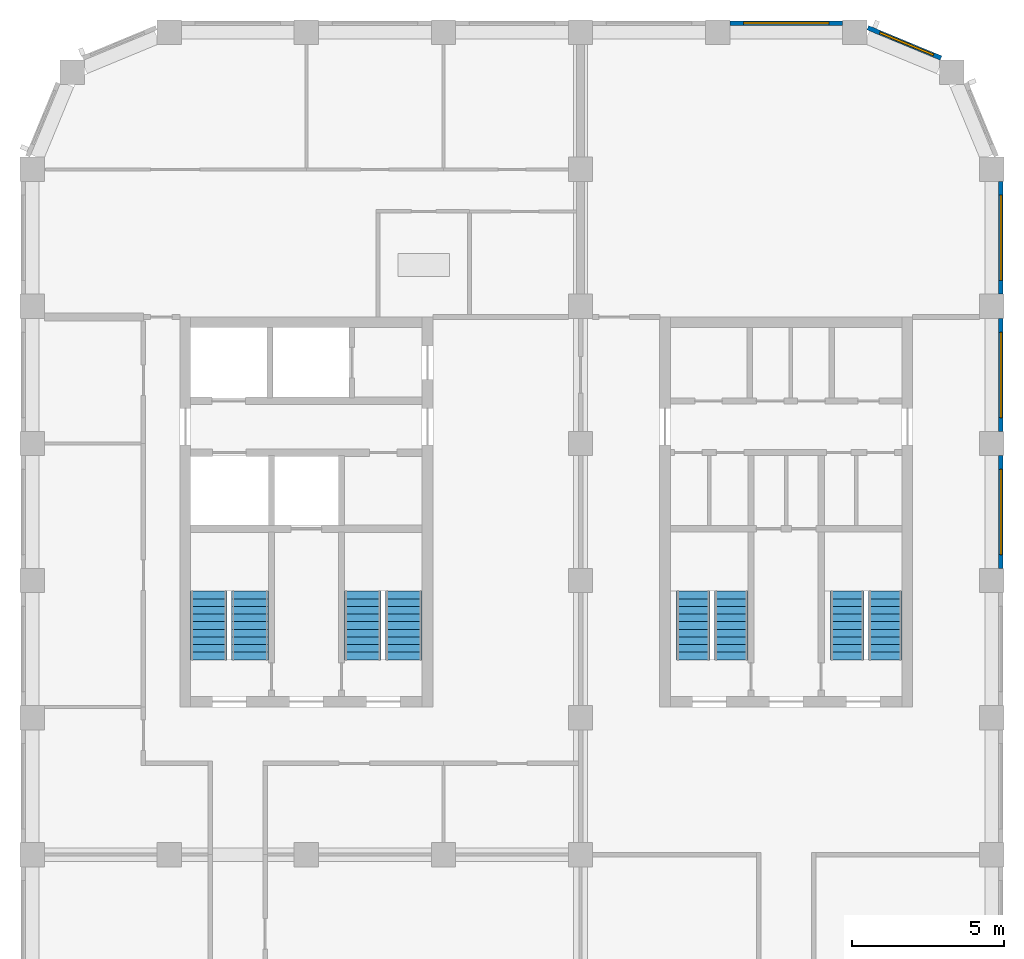
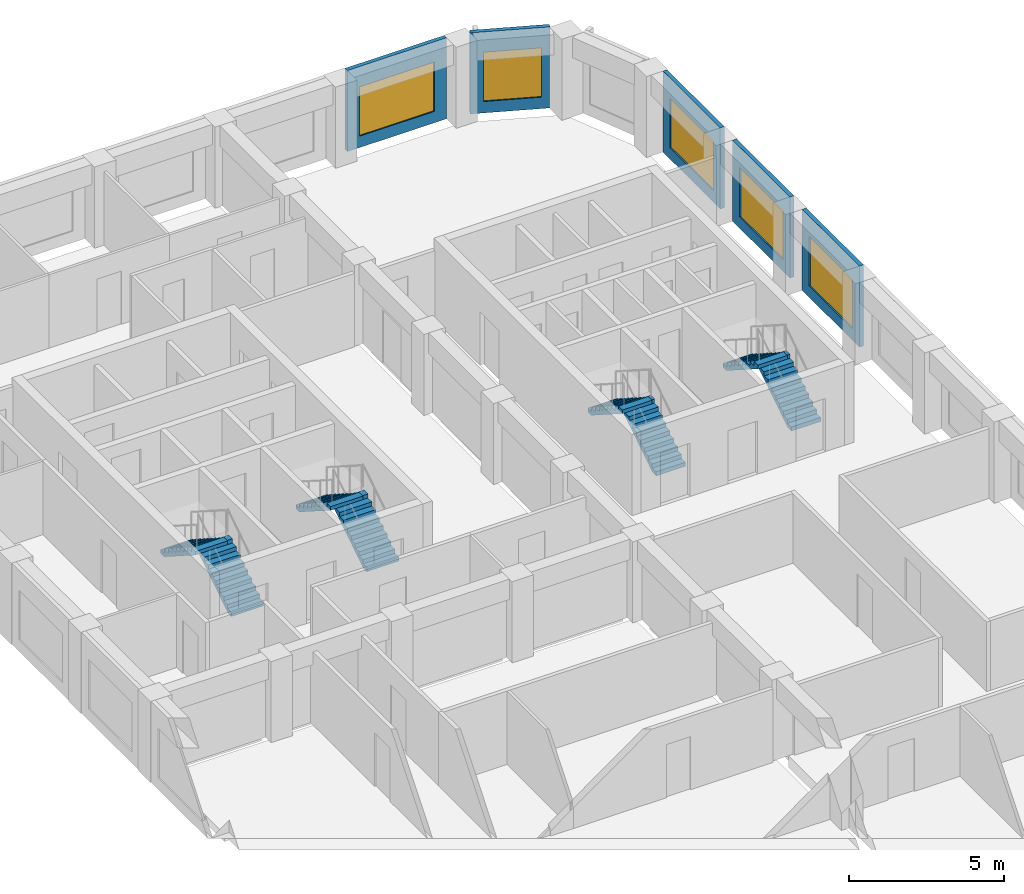
# One storey, part 7 of 9: 8 stair flights, 5 walls, 5 windows, 5 openings, 4 elements without a shape of their own.
"""IFC4 building model written with IfcOpenShell, lengths in metres."""

from ifc_helpers import new_model, si_unit, direction, frame, frame_2d, origin, place, context, subcontext, project, spatial, polyline, rectangle, outline, extrude, material, layer, layer_set, type_object, element, fill, aggregate, save


model = new_model("IFC4")

# Units and contexts
model_context = context("Model", 3, precision=1e-05, world=origin(), true_north=direction((0.0, 1.0)))
body_context = subcontext(model_context, "Body", "Model", "MODEL_VIEW")
ifc_project = project(units=[si_unit("LENGTHUNIT", "METRE"), si_unit("AREAUNIT", "SQUARE_METRE"), si_unit("VOLUMEUNIT", "CUBIC_METRE"), si_unit("PLANEANGLEUNIT", "RADIAN"), si_unit("MASSUNIT", "GRAM", prefix="KILO")], contexts=[model_context])

# Site, building, storey
site_placement = place(None, origin())
site = spatial("IfcSite", under=ifc_project, at=site_placement, CompositionType="ELEMENT")
building_placement = place(site_placement, origin())
building = spatial("IfcBuilding", under=site, at=building_placement, Name="Girih Gate Residences", CompositionType="ELEMENT")
storey_placement = place(building_placement, frame((0.0, 0.0, 189.10009765625)))
storey = spatial("IfcBuildingStorey", under=building, at=storey_placement, Name="L52", CompositionType="ELEMENT", Elevation=189.10009765625)

# Wall, opening, window
ifc_material_1 = material(Name="Precast concrete C50/60", Category="concrete")
ifc_layer_1 = layer(ifc_material_1, 0.050048828125, Name="Outer leaf")
ifc_material_2 = material(Name="Rigid PIR insulation")
ifc_layer_2 = layer(ifc_material_2, 0.06005859375, Name="Insulation")
ifc_material_3 = material(Name="Precast concrete C40/50", Category="concrete")
ifc_layer_3 = layer(ifc_material_3, 0.0400390625, Name="Inner leaf")
ifc_layer_set = layer_set([ifc_layer_1, ifc_layer_2, ifc_layer_3], Name="Precast concrete C50/60 external wall 150")
wall_type = type_object("IfcWallType", Name="Precast concrete C50/60 external wall 150", PredefinedType="SOLIDWALL", material=ifc_layer_set)
wall_1_placement = place(storey_placement, frame((31.800048828125, 35.60009765625, 0.0), z_axis=(0.0, 0.0, 1.0), x_axis=(0.0, -1.0, 0.0)))
wall_1 = element("IfcWall", 1, at=wall_1_placement, inside=storey, type_object=wall_type, Name="External wall E0315_0045.6", PredefinedType="SOLIDWALL", context=body_context, shape_type="SweptSolid", body=[
    extrude(rectangle(XDim=3.7001953125, YDim=0.14990234375, at=frame_2d((1.85009765625, 0.0))), origin(), (0.0, 0.0, 1.0), 3.199951171875),
])
opening_1_placement = place(wall_1_placement, frame((0.449951171875, 0.0, 0.449951171875)))
opening_1 = element("IfcOpeningElement", 2, at=opening_1_placement, cuts=wall_1, Name="Opening W-1B", PredefinedType="OPENING", context=body_context, shape_type="SweptSolid", body=[
    extrude(rectangle(XDim=2.800048828125, YDim=1.949951171875, at=frame_2d((1.39990234375, 0.97509765625))), frame((0.0, 0.0849609375, 0.0), z_axis=(0.0, -1.0, 0.0), x_axis=(1.0, 0.0, 0.0)), (0.0, 0.0, 1.0), 0.169921875),
])
ifc_material_4 = material(Name="Double glazing in aluminium frame", Category="aluminium")
window_type_1 = type_object("IfcWindowType", Name="Window W-1B 2800x1950", PartitioningType="SINGLE_PANEL", PredefinedType="WINDOW", material=ifc_material_4)
window_1_placement = place(opening_1_placement, origin())
window_1 = element("IfcWindow", 3, at=window_1_placement, inside=storey, type_object=window_type_1, Name="Window W-1B E0315_0045.6", OverallHeight=1.949951171875, OverallWidth=2.800048828125, PartitioningType="SINGLE_PANEL", PredefinedType="WINDOW", context=body_context, shape_type="SweptSolid", body=[
    extrude(rectangle(XDim=2.800048828125, YDim=1.949951171875, at=frame_2d((1.39990234375, 0.97509765625))), frame((0.0, 0.030029296875, 0.0), z_axis=(0.0, -1.0, 0.0), x_axis=(1.0, 0.0, 0.0)), (0.0, 0.0, 1.0), 0.06005859375),
])
fill(opening_1, window_1)

wall_2_placement = place(storey_placement, frame((31.800048828125, 40.10009765625, 0.0), z_axis=(0.0, 0.0, 1.0), x_axis=(0.0, -1.0, 0.0)))
wall_2 = element("IfcWall", 4, at=wall_2_placement, inside=storey, type_object=wall_type, Name="External wall E0315_0045.7", PredefinedType="SOLIDWALL", context=body_context, shape_type="SweptSolid", body=[
    extrude(rectangle(XDim=3.7001953125, YDim=0.14990234375, at=frame_2d((1.85009765625, 0.0))), origin(), (0.0, 0.0, 1.0), 3.199951171875),
])
opening_2_placement = place(wall_2_placement, frame((0.449951171875, 0.0, 0.449951171875)))
opening_2 = element("IfcOpeningElement", 5, at=opening_2_placement, cuts=wall_2, Name="Opening W-1B", PredefinedType="OPENING", context=body_context, shape_type="SweptSolid", body=[
    extrude(rectangle(XDim=2.800048828125, YDim=1.949951171875, at=frame_2d((1.39990234375, 0.97509765625))), frame((0.0, 0.0849609375, 0.0), z_axis=(0.0, -1.0, 0.0), x_axis=(1.0, 0.0, 0.0)), (0.0, 0.0, 1.0), 0.169921875),
])
window_2_placement = place(opening_2_placement, origin())
window_2 = element("IfcWindow", 6, at=window_2_placement, inside=storey, type_object=window_type_1, Name="Window W-1B E0315_0045.7", OverallHeight=1.949951171875, OverallWidth=2.800048828125, PartitioningType="SINGLE_PANEL", PredefinedType="WINDOW", context=body_context, shape_type="SweptSolid", body=[
    extrude(rectangle(XDim=2.800048828125, YDim=1.949951171875, at=frame_2d((1.39990234375, 0.97509765625))), frame((0.0, 0.030029296875, 0.0), z_axis=(0.0, -1.0, 0.0), x_axis=(1.0, 0.0, 0.0)), (0.0, 0.0, 1.0), 0.06005859375),
])
fill(opening_2, window_2)

wall_3_placement = place(storey_placement, frame((31.800048828125, 44.60009765625, 0.0), z_axis=(0.0, 0.0, 1.0), x_axis=(0.0, -1.0, 0.0)))
wall_3 = element("IfcWall", 7, at=wall_3_placement, inside=storey, type_object=wall_type, Name="External wall E0315_0045.8", PredefinedType="SOLIDWALL", context=body_context, shape_type="SweptSolid", body=[
    extrude(rectangle(XDim=3.7001953125, YDim=0.14990234375, at=frame_2d((1.85009765625, 0.0))), origin(), (0.0, 0.0, 1.0), 3.199951171875),
])
opening_3_placement = place(wall_3_placement, frame((0.449951171875, 0.0, 0.449951171875)))
opening_3 = element("IfcOpeningElement", 8, at=opening_3_placement, cuts=wall_3, Name="Opening W-1B", PredefinedType="OPENING", context=body_context, shape_type="SweptSolid", body=[
    extrude(rectangle(XDim=2.800048828125, YDim=1.949951171875, at=frame_2d((1.39990234375, 0.97509765625))), frame((0.0, 0.0849609375, 0.0), z_axis=(0.0, -1.0, 0.0), x_axis=(1.0, 0.0, 0.0)), (0.0, 0.0, 1.0), 0.169921875),
])
window_3_placement = place(opening_3_placement, origin())
window_3 = element("IfcWindow", 9, at=window_3_placement, inside=storey, type_object=window_type_1, Name="Window W-1B E0315_0045.8", OverallHeight=1.949951171875, OverallWidth=2.800048828125, PartitioningType="SINGLE_PANEL", PredefinedType="WINDOW", context=body_context, shape_type="SweptSolid", body=[
    extrude(rectangle(XDim=2.800048828125, YDim=1.949951171875, at=frame_2d((1.39990234375, 0.97509765625))), frame((0.0, 0.030029296875, 0.0), z_axis=(0.0, -1.0, 0.0), x_axis=(1.0, 0.0, 0.0)), (0.0, 0.0, 1.0), 0.06005859375),
])
fill(opening_3, window_3)

wall_4_placement = place(storey_placement, frame((27.4287109375, 49.647216796875, 0.0), z_axis=(0.0, 0.0, 1.0), x_axis=(0.923885342263, -0.382669406082, 0.0)))
wall_4 = element("IfcWall", 10, at=wall_4_placement, inside=storey, type_object=wall_type, Name="External wall NE0302_0482.0", PredefinedType="SOLIDWALL", context=body_context, shape_type="SweptSolid", body=[
    extrude(rectangle(XDim=2.602294921875, YDim=0.14990234375, at=frame_2d((1.30126953125, 0.0))), origin(), (0.0, 0.0, 1.0), 3.199951171875),
])
opening_4_placement = place(wall_4_placement, frame((0.432373046875, 0.0, 0.449951171875)))
opening_4 = element("IfcOpeningElement", 11, at=opening_4_placement, cuts=wall_4, Name="Opening W-2G", PredefinedType="OPENING", context=body_context, shape_type="SweptSolid", body=[
    extrude(rectangle(XDim=1.89990234375, YDim=1.949951171875, at=frame_2d((0.949951171875, 0.97509765625))), frame((0.0, 0.0849609375, 0.0), z_axis=(0.0, -1.0, 0.0), x_axis=(1.0, 0.0, 0.0)), (0.0, 0.0, 1.0), 0.169921875),
])
window_type_2 = type_object("IfcWindowType", Name="Window W-2G 1900x1950", PartitioningType="SINGLE_PANEL", PredefinedType="WINDOW", material=ifc_material_4)
window_4_placement = place(opening_4_placement, origin())
window_4 = element("IfcWindow", 12, at=window_4_placement, inside=storey, type_object=window_type_2, Name="Window W-2G NE0302_0482.0", OverallHeight=1.949951171875, OverallWidth=1.89990234375, PartitioningType="SINGLE_PANEL", PredefinedType="WINDOW", context=body_context, shape_type="SweptSolid", body=[
    extrude(rectangle(XDim=1.89990234375, YDim=1.949951171875, at=frame_2d((0.949951171875, 0.97509765625))), frame((0.0, 0.030029296875, 0.0), z_axis=(0.0, -1.0, 0.0), x_axis=(1.0, 0.0, 0.0)), (0.0, 0.0, 1.0), 0.06005859375),
])
fill(opening_4, window_4)

wall_5_placement = place(storey_placement, frame((22.89990234375, 49.800048828125, 0.0), z_axis=(0.0, 0.0, 1.0), x_axis=(1.0, 0.0, 0.0)))
wall_5 = element("IfcWall", 13, at=wall_5_placement, inside=storey, type_object=wall_type, Name="External wall N0270_0495.0", PredefinedType="SOLIDWALL", context=body_context, shape_type="SweptSolid", body=[
    extrude(rectangle(XDim=3.7001953125, YDim=0.14990234375, at=frame_2d((1.85009765625, 0.0))), origin(), (0.0, 0.0, 1.0), 3.199951171875),
])
opening_5_placement = place(wall_5_placement, frame((0.449951171875, 0.0, 0.449951171875)))
opening_5 = element("IfcOpeningElement", 14, at=opening_5_placement, cuts=wall_5, Name="Opening W-1B", PredefinedType="OPENING", context=body_context, shape_type="SweptSolid", body=[
    extrude(rectangle(XDim=2.800048828125, YDim=1.949951171875, at=frame_2d((1.39990234375, 0.97509765625))), frame((0.0, 0.0849609375, 0.0), z_axis=(0.0, -1.0, 0.0), x_axis=(1.0, 0.0, 0.0)), (0.0, 0.0, 1.0), 0.169921875),
])
window_5_placement = place(opening_5_placement, origin())
window_5 = element("IfcWindow", 15, at=window_5_placement, inside=storey, type_object=window_type_1, Name="Window W-1B N0270_0495.0", OverallHeight=1.949951171875, OverallWidth=2.800048828125, PartitioningType="SINGLE_PANEL", PredefinedType="WINDOW", context=body_context, shape_type="SweptSolid", body=[
    extrude(rectangle(XDim=2.800048828125, YDim=1.949951171875, at=frame_2d((1.39990234375, 0.97509765625))), frame((0.0, 0.030029296875, 0.0), z_axis=(0.0, -1.0, 0.0), x_axis=(1.0, 0.0, 0.0)), (0.0, 0.0, 1.0), 0.06005859375),
])
fill(opening_5, window_5)

# Stair, stair flights
ifc_material_5 = material(Name="Concrete C40/50", Category="concrete")
stair_type_1 = type_object("IfcStairType", Name="Exit stair C core", PredefinedType="HALF_TURN_STAIR", material=ifc_material_5)
stair_1_placement = place(storey_placement, origin())
stair_1 = element("IfcStair", 16, at=stair_1_placement, inside=storey, type_object=stair_type_1, Name="L52 Exit Stair ST-C1", PredefinedType="HALF_TURN_STAIR")
stair_flight_type_1 = type_object("IfcStairFlightType", Name="Stair flight 1100", PredefinedType="STRAIGHT", material=ifc_material_5)
stair_flight_1_placement = place(storey_placement, frame((22.949951171875, 28.89990234375, 0.0), z_axis=(0.0, 0.0, 1.0), x_axis=(0.0, 1.0, 0.0)))
stair_flight_1 = element("IfcStairFlight", 17, at=stair_flight_1_placement, type_object=stair_flight_type_1, Name="ST-C1 flight 1", NumberOfRisers=10, NumberOfTreads=9, PredefinedType="STRAIGHT", RiserHeight=0.16, TreadLength=0.25, context=body_context, shape_type="SweptSolid", body=[
    extrude(outline(polyline([(0.0, 0.0), (0.0, 0.159912109375), (0.25, 0.159912109375), (0.25, 0.320068359375), (0.5, 0.320068359375), (0.5, 0.47998046875), (0.75, 0.47998046875), (0.75, 0.639892578125), (1.0, 0.639892578125), (1.0, 0.800048828125), (1.25, 0.800048828125), (1.25, 0.9599609375), (1.5, 0.9599609375), (1.5, 1.1201171875), (1.75, 1.1201171875), (1.75, 1.280029296875), (2.0, 1.280029296875), (2.0, 1.43994140625), (2.25, 1.43994140625), (2.25, 1.60009765625), (2.25, 1.29736328125), (0.222900390625, 0.0), (0.0, 0.0)])), frame((0.0, 0.550048828125, 0.0), z_axis=(0.0, -1.0, 0.0), x_axis=(1.0, 0.0, 0.0)), (0.0, 0.0, 1.0), 1.10009765625),
])
stair_flight_2_placement = place(storey_placement, frame((21.699951171875, 31.14990234375, 1.599853515625), z_axis=(0.0, 0.0, 1.0), x_axis=(0.0, -1.0, 0.0)))
stair_flight_2 = element("IfcStairFlight", 18, at=stair_flight_2_placement, type_object=stair_flight_type_1, Name="ST-C1 flight 2", NumberOfRisers=10, NumberOfTreads=9, PredefinedType="STRAIGHT", RiserHeight=0.16, TreadLength=0.25, context=body_context, shape_type="SweptSolid", body=[
    extrude(outline(polyline([(0.0, 0.0), (0.0, 0.159912109375), (0.25, 0.159912109375), (0.25, 0.320068359375), (0.5, 0.320068359375), (0.5, 0.47998046875), (0.75, 0.47998046875), (0.75, 0.639892578125), (1.0, 0.639892578125), (1.0, 0.800048828125), (1.25, 0.800048828125), (1.25, 0.9599609375), (1.5, 0.9599609375), (1.5, 1.1201171875), (1.75, 1.1201171875), (1.75, 1.280029296875), (2.0, 1.280029296875), (2.0, 1.43994140625), (2.25, 1.43994140625), (2.25, 1.60009765625), (2.25, 1.29736328125), (0.222900390625, 0.0), (0.0, 0.0)])), frame((0.0, 0.550048828125, 0.0), z_axis=(0.0, -1.0, 0.0), x_axis=(1.0, 0.0, 0.0)), (0.0, 0.0, 1.0), 1.10009765625),
])
aggregate(stair_1, [stair_flight_1, stair_flight_2])

stair_2_placement = place(storey_placement, origin())
stair_2 = element("IfcStair", 19, at=stair_2_placement, inside=storey, type_object=stair_type_1, Name="L52 Exit Stair ST-C2", PredefinedType="HALF_TURN_STAIR")
stair_flight_3_placement = place(storey_placement, frame((28.0, 28.89990234375, 0.0), z_axis=(0.0, 0.0, 1.0), x_axis=(0.0, 1.0, 0.0)))
stair_flight_3 = element("IfcStairFlight", 20, at=stair_flight_3_placement, type_object=stair_flight_type_1, Name="ST-C2 flight 1", NumberOfRisers=10, NumberOfTreads=9, PredefinedType="STRAIGHT", RiserHeight=0.16, TreadLength=0.25, context=body_context, shape_type="SweptSolid", body=[
    extrude(outline(polyline([(0.0, 0.0), (0.0, 0.159912109375), (0.25, 0.159912109375), (0.25, 0.320068359375), (0.5, 0.320068359375), (0.5, 0.47998046875), (0.75, 0.47998046875), (0.75, 0.639892578125), (1.0, 0.639892578125), (1.0, 0.800048828125), (1.25, 0.800048828125), (1.25, 0.9599609375), (1.5, 0.9599609375), (1.5, 1.1201171875), (1.75, 1.1201171875), (1.75, 1.280029296875), (2.0, 1.280029296875), (2.0, 1.43994140625), (2.25, 1.43994140625), (2.25, 1.60009765625), (2.25, 1.29736328125), (0.222900390625, 0.0), (0.0, 0.0)])), frame((0.0, 0.550048828125, 0.0), z_axis=(0.0, -1.0, 0.0), x_axis=(1.0, 0.0, 0.0)), (0.0, 0.0, 1.0), 1.10009765625),
])
stair_flight_4_placement = place(storey_placement, frame((26.75, 31.14990234375, 1.599853515625), z_axis=(0.0, 0.0, 1.0), x_axis=(0.0, -1.0, 0.0)))
stair_flight_4 = element("IfcStairFlight", 21, at=stair_flight_4_placement, type_object=stair_flight_type_1, Name="ST-C2 flight 2", NumberOfRisers=10, NumberOfTreads=9, PredefinedType="STRAIGHT", RiserHeight=0.16, TreadLength=0.25, context=body_context, shape_type="SweptSolid", body=[
    extrude(outline(polyline([(0.0, 0.0), (0.0, 0.159912109375), (0.25, 0.159912109375), (0.25, 0.320068359375), (0.5, 0.320068359375), (0.5, 0.47998046875), (0.75, 0.47998046875), (0.75, 0.639892578125), (1.0, 0.639892578125), (1.0, 0.800048828125), (1.25, 0.800048828125), (1.25, 0.9599609375), (1.5, 0.9599609375), (1.5, 1.1201171875), (1.75, 1.1201171875), (1.75, 1.280029296875), (2.0, 1.280029296875), (2.0, 1.43994140625), (2.25, 1.43994140625), (2.25, 1.60009765625), (2.25, 1.29736328125), (0.222900390625, 0.0), (0.0, 0.0)])), frame((0.0, 0.550048828125, 0.0), z_axis=(0.0, -1.0, 0.0), x_axis=(1.0, 0.0, 0.0)), (0.0, 0.0, 1.0), 1.10009765625),
])
aggregate(stair_2, [stair_flight_3, stair_flight_4])

stair_type_2 = type_object("IfcStairType", Name="Exit stair", PredefinedType="HALF_TURN_STAIR", material=ifc_material_5)
stair_3_placement = place(storey_placement, origin())
stair_3 = element("IfcStair", 22, at=stair_3_placement, inside=storey, type_object=stair_type_2, Name="L52 Exit Stair ST-W1", PredefinedType="HALF_TURN_STAIR")
stair_flight_type_2 = type_object("IfcStairFlightType", Name="Stair flight 1200", PredefinedType="STRAIGHT", material=ifc_material_5)
stair_flight_5_placement = place(storey_placement, frame((7.14990234375, 28.89990234375, 0.0), z_axis=(0.0, 0.0, 1.0), x_axis=(0.0, 1.0, 0.0)))
stair_flight_5 = element("IfcStairFlight", 23, at=stair_flight_5_placement, type_object=stair_flight_type_2, Name="ST-W1 flight 1", NumberOfRisers=10, NumberOfTreads=9, PredefinedType="STRAIGHT", RiserHeight=0.16, TreadLength=0.25, context=body_context, shape_type="SweptSolid", body=[
    extrude(outline(polyline([(0.0, 0.0), (0.0, 0.159912109375), (0.25, 0.159912109375), (0.25, 0.320068359375), (0.5, 0.320068359375), (0.5, 0.47998046875), (0.75, 0.47998046875), (0.75, 0.639892578125), (1.0, 0.639892578125), (1.0, 0.800048828125), (1.25, 0.800048828125), (1.25, 0.9599609375), (1.5, 0.9599609375), (1.5, 1.1201171875), (1.75, 1.1201171875), (1.75, 1.280029296875), (2.0, 1.280029296875), (2.0, 1.43994140625), (2.25, 1.43994140625), (2.25, 1.60009765625), (2.25, 1.29736328125), (0.222900390625, 0.0), (0.0, 0.0)])), frame((0.0, 0.60009765625, 0.0), z_axis=(0.0, -1.0, 0.0), x_axis=(1.0, 0.0, 0.0)), (0.0, 0.0, 1.0), 1.199951171875),
])
stair_flight_6_placement = place(storey_placement, frame((5.800048828125, 31.14990234375, 1.599853515625), z_axis=(0.0, 0.0, 1.0), x_axis=(0.0, -1.0, 0.0)))
stair_flight_6 = element("IfcStairFlight", 24, at=stair_flight_6_placement, type_object=stair_flight_type_2, Name="ST-W1 flight 2", NumberOfRisers=10, NumberOfTreads=9, PredefinedType="STRAIGHT", RiserHeight=0.16, TreadLength=0.25, context=body_context, shape_type="SweptSolid", body=[
    extrude(outline(polyline([(0.0, 0.0), (0.0, 0.159912109375), (0.25, 0.159912109375), (0.25, 0.320068359375), (0.5, 0.320068359375), (0.5, 0.47998046875), (0.75, 0.47998046875), (0.75, 0.639892578125), (1.0, 0.639892578125), (1.0, 0.800048828125), (1.25, 0.800048828125), (1.25, 0.9599609375), (1.5, 0.9599609375), (1.5, 1.1201171875), (1.75, 1.1201171875), (1.75, 1.280029296875), (2.0, 1.280029296875), (2.0, 1.43994140625), (2.25, 1.43994140625), (2.25, 1.60009765625), (2.25, 1.29736328125), (0.222900390625, 0.0), (0.0, 0.0)])), frame((0.0, 0.60009765625, 0.0), z_axis=(0.0, -1.0, 0.0), x_axis=(1.0, 0.0, 0.0)), (0.0, 0.0, 1.0), 1.199951171875),
])
aggregate(stair_3, [stair_flight_5, stair_flight_6])

stair_4_placement = place(storey_placement, origin())
stair_4 = element("IfcStair", 25, at=stair_4_placement, inside=storey, type_object=stair_type_2, Name="L52 Exit Stair ST-W2", PredefinedType="HALF_TURN_STAIR")
stair_flight_7_placement = place(storey_placement, frame((12.199951171875, 28.89990234375, 0.0), z_axis=(0.0, 0.0, 1.0), x_axis=(0.0, 1.0, 0.0)))
stair_flight_7 = element("IfcStairFlight", 26, at=stair_flight_7_placement, type_object=stair_flight_type_2, Name="ST-W2 flight 1", NumberOfRisers=10, NumberOfTreads=9, PredefinedType="STRAIGHT", RiserHeight=0.16, TreadLength=0.25, context=body_context, shape_type="SweptSolid", body=[
    extrude(outline(polyline([(0.0, 0.0), (0.0, 0.159912109375), (0.25, 0.159912109375), (0.25, 0.320068359375), (0.5, 0.320068359375), (0.5, 0.47998046875), (0.75, 0.47998046875), (0.75, 0.639892578125), (1.0, 0.639892578125), (1.0, 0.800048828125), (1.25, 0.800048828125), (1.25, 0.9599609375), (1.5, 0.9599609375), (1.5, 1.1201171875), (1.75, 1.1201171875), (1.75, 1.280029296875), (2.0, 1.280029296875), (2.0, 1.43994140625), (2.25, 1.43994140625), (2.25, 1.60009765625), (2.25, 1.29736328125), (0.222900390625, 0.0), (0.0, 0.0)])), frame((0.0, 0.60009765625, 0.0), z_axis=(0.0, -1.0, 0.0), x_axis=(1.0, 0.0, 0.0)), (0.0, 0.0, 1.0), 1.199951171875),
])
stair_flight_8_placement = place(storey_placement, frame((10.85009765625, 31.14990234375, 1.599853515625), z_axis=(0.0, 0.0, 1.0), x_axis=(0.0, -1.0, 0.0)))
stair_flight_8 = element("IfcStairFlight", 27, at=stair_flight_8_placement, type_object=stair_flight_type_2, Name="ST-W2 flight 2", NumberOfRisers=10, NumberOfTreads=9, PredefinedType="STRAIGHT", RiserHeight=0.16, TreadLength=0.25, context=body_context, shape_type="SweptSolid", body=[
    extrude(outline(polyline([(0.0, 0.0), (0.0, 0.159912109375), (0.25, 0.159912109375), (0.25, 0.320068359375), (0.5, 0.320068359375), (0.5, 0.47998046875), (0.75, 0.47998046875), (0.75, 0.639892578125), (1.0, 0.639892578125), (1.0, 0.800048828125), (1.25, 0.800048828125), (1.25, 0.9599609375), (1.5, 0.9599609375), (1.5, 1.1201171875), (1.75, 1.1201171875), (1.75, 1.280029296875), (2.0, 1.280029296875), (2.0, 1.43994140625), (2.25, 1.43994140625), (2.25, 1.60009765625), (2.25, 1.29736328125), (0.222900390625, 0.0), (0.0, 0.0)])), frame((0.0, 0.60009765625, 0.0), z_axis=(0.0, -1.0, 0.0), x_axis=(1.0, 0.0, 0.0)), (0.0, 0.0, 1.0), 1.199951171875),
])
aggregate(stair_4, [stair_flight_7, stair_flight_8])

save(model, "model.ifc")
